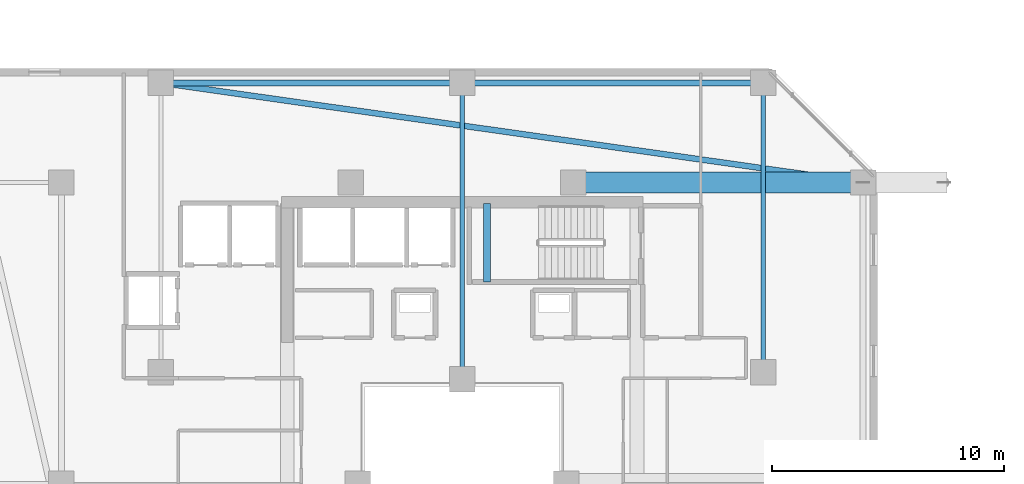
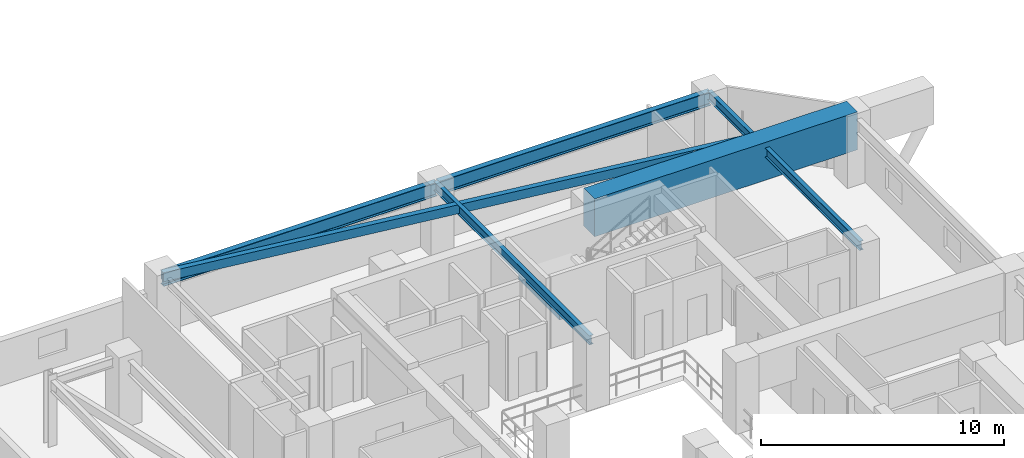
# One storey, part 8 of 35: 7 beams.
"""IFC4 building model written with IfcOpenShell, lengths in metres."""

from ifc_helpers import new_model, si_unit, direction, frame, origin, origin_2d, place, context, subcontext, project, spatial, rectangle, hollow_rectangle, i_section, extrude, material, material_profile, profile_set, type_object, element, save


model = new_model("IFC4")

# Units and contexts
model_context = context("Model", 3, precision=1e-05, world=origin(), true_north=direction((0.0, 1.0)))
body_context = subcontext(model_context, "Body", "Model", "MODEL_VIEW")
ifc_project = project(units=[si_unit("LENGTHUNIT", "METRE"), si_unit("AREAUNIT", "SQUARE_METRE"), si_unit("VOLUMEUNIT", "CUBIC_METRE"), si_unit("PLANEANGLEUNIT", "RADIAN"), si_unit("MASSUNIT", "GRAM", prefix="KILO")], contexts=[model_context])

# Site, building, storey
site_placement = place(None, origin())
site = spatial("IfcSite", under=ifc_project, at=site_placement, CompositionType="ELEMENT")
building_placement = place(site_placement, origin())
building = spatial("IfcBuilding", under=site, at=building_placement, Name="Thornwick Lancets Civic Towers", CompositionType="ELEMENT")
storey_placement = place(building_placement, frame((0.0, 0.0, 145.5)))
storey = spatial("IfcBuildingStorey", under=building, at=storey_placement, Name="L38", CompositionType="ELEMENT", Elevation=145.5)

# Beams
ifc_material_1 = material(Name="Steel S355JR", Category="steel")
ifc_material_profile_1 = material_profile(ifc_material_1, i_section(OverallWidth=0.255859375, OverallDepth=0.69287109375, WebThickness=0.014404296875, FlangeThickness=0.023681640625, FilletRadius=0.01513671875, at=origin_2d()), Name="UKB 686x254x170")
ifc_profile_set_1 = profile_set([ifc_material_profile_1], Name="Steel S355JR")
beam_type_1 = type_object("IfcBeamType", Name="BM_GIRD_686_170", PredefinedType="BEAM", material=ifc_profile_set_1)
beam_1_placement = place(storey_placement, frame((12.5, 44.300048828125, 2.973388671875), z_axis=(1.0, 0.0, 0.0), x_axis=(0.0, 1.0, 0.0)))
element("IfcBeam", 1, at=beam_1_placement, inside=storey, type_object=beam_type_1, Name="BM-SPINE-L38-A-6-7", PredefinedType="BEAM", context=body_context, shape_type="SweptSolid", body=[
    extrude(i_section(OverallWidth=0.255859375, OverallDepth=0.69287109375, WebThickness=0.014404296875, FlangeThickness=0.023681640625, FilletRadius=0.01513671875, at=origin_2d()), origin(), (0.0, 0.0, 1.0), 13.0),
])
beam_2_placement = place(storey_placement, frame((25.580078125, 44.300048828125, 2.973388671875), z_axis=(1.0, 0.0, 0.0), x_axis=(0.0, 1.0, 0.0)))
element("IfcBeam", 2, at=beam_2_placement, inside=storey, type_object=beam_type_1, Name="BM-SPINE-L38-A-7-8", PredefinedType="BEAM", context=body_context, shape_type="SweptSolid", body=[
    extrude(i_section(OverallWidth=0.255859375, OverallDepth=0.69287109375, WebThickness=0.014404296875, FlangeThickness=0.023681640625, FilletRadius=0.01513671875, at=origin_2d()), origin(), (0.0, 0.0, 1.0), 12.919921875),
])
ifc_material_profile_2 = material_profile(ifc_material_1, i_section(OverallWidth=0.19189453125, OverallDepth=0.46337890625, WebThickness=0.010498046875, FlangeThickness=0.017578125, FilletRadius=0.01025390625, at=origin_2d()), Name="UKB 457x191x89")
ifc_profile_set_2 = profile_set([ifc_material_profile_2], Name="Steel S355JR")
beam_type_2 = type_object("IfcBeamType", Name="BM_JOIST_457_89", PredefinedType="JOIST", material=ifc_profile_set_2)
beam_3_placement = place(storey_placement, frame((25.5, 31.5, 3.08837890625), z_axis=(0.0, 1.0, 0.0), x_axis=(-1.0, 0.0, 0.0)))
element("IfcBeam", 3, at=beam_3_placement, inside=storey, type_object=beam_type_2, Name="BM-RADIN-L38-A08", PredefinedType="JOIST", context=body_context, shape_type="SweptSolid", body=[
    extrude(i_section(OverallWidth=0.19189453125, OverallDepth=0.46337890625, WebThickness=0.010498046875, FlangeThickness=0.017578125, FilletRadius=0.01025390625, at=origin_2d()), origin(), (0.0, 0.0, 1.0), 12.800048828125),
])
beam_4_placement = place(storey_placement, frame((38.5, 31.800048828125, 3.08837890625), z_axis=(0.0, 1.0, 0.0), x_axis=(-1.0, 0.0, 0.0)))
element("IfcBeam", 4, at=beam_4_placement, inside=storey, type_object=beam_type_2, Name="BM-RADIN-L38-A09", PredefinedType="JOIST", context=body_context, shape_type="SweptSolid", body=[
    extrude(i_section(OverallWidth=0.19189453125, OverallDepth=0.46337890625, WebThickness=0.010498046875, FlangeThickness=0.017578125, FilletRadius=0.01025390625, at=origin_2d()), origin(), (0.0, 0.0, 1.0), 12.5),
])
ifc_material_profile_3 = material_profile(ifc_material_1, hollow_rectangle(XDim=0.25, YDim=0.449951171875, WallThickness=0.01611328125, at=origin_2d()), Name="RHS 450x250x16")
ifc_profile_set_3 = profile_set([ifc_material_profile_3], Name="Steel S355JR")
beam_type_3 = type_object("IfcBeamType", Name="BM_RING_RHS450", PredefinedType="BEAM", material=ifc_profile_set_3)
beam_5_placement = place(storey_placement, frame((42.800048828125, 40.0, 3.094970703125), z_axis=(-0.990079584012, 0.140507712682, 0.0), x_axis=(-0.140507712682, -0.990079584012, 0.0)))
element("IfcBeam", 5, at=beam_5_placement, inside=storey, type_object=beam_type_3, Name="BM-CHAMF-L38-A-C1", PredefinedType="BEAM", context=body_context, shape_type="SweptSolid", body=[
    extrude(hollow_rectangle(XDim=0.25, YDim=0.449951171875, WallThickness=0.01611328125, at=origin_2d()), origin(), (0.0, 0.0, 1.0), 30.603759765625),
])
ifc_material_2 = material(Name="Concrete C40/50", Category="concrete")
ifc_material_profile_4 = material_profile(ifc_material_2, rectangle(XDim=0.300048828125, YDim=0.35009765625, at=origin_2d()), Name="RC 300x350")
ifc_profile_set_4 = profile_set([ifc_material_profile_4], Name="Concrete C40/50")
beam_type_4 = type_object("IfcBeamType", Name="BM_STAIR_LDG", PredefinedType="BEAM", material=ifc_profile_set_4)
beam_6_placement = place(storey_placement, frame((26.56494140625, 39.10009765625, 1.3779296875), z_axis=(0.0, -1.0, 0.0), x_axis=(1.0, 0.0, 0.0)))
element("IfcBeam", 6, at=beam_6_placement, inside=storey, type_object=beam_type_4, Name="L38 ST-A2 Landing Support Beam 1", PredefinedType="BEAM", context=body_context, shape_type="SweptSolid", body=[
    extrude(rectangle(XDim=0.300048828125, YDim=0.35009765625, at=origin_2d()), origin(), (0.0, 0.0, 1.0), 3.400146484375),
])
ifc_material_3 = material(Name="Concrete C60/75", Category="concrete")
ifc_material_profile_5 = material_profile(ifc_material_3, rectangle(XDim=0.89990234375, YDim=1.89990234375, at=origin_2d()), Name="RC 900x1900")
ifc_profile_set_5 = profile_set([ifc_material_profile_5], Name="Concrete C60/75")
beam_type_5 = type_object("IfcBeamType", Name="BM_TR_RC1900", PredefinedType="BEAM", material=ifc_profile_set_5)
beam_7_placement = place(storey_placement, frame((30.300048828125, 40.0, 2.64990234375), z_axis=(1.0, 0.0, 0.0), x_axis=(0.0, 1.0, 0.0)))
element("IfcBeam", 7, at=beam_7_placement, inside=storey, type_object=beam_type_5, Name="TG-BACK-L39-A06", PredefinedType="BEAM", context=body_context, shape_type="SweptSolid", body=[
    extrude(rectangle(XDim=0.89990234375, YDim=1.89990234375, at=origin_2d()), origin(), (0.0, 0.0, 1.0), 12.5),
])

save(model, "model.ifc")
